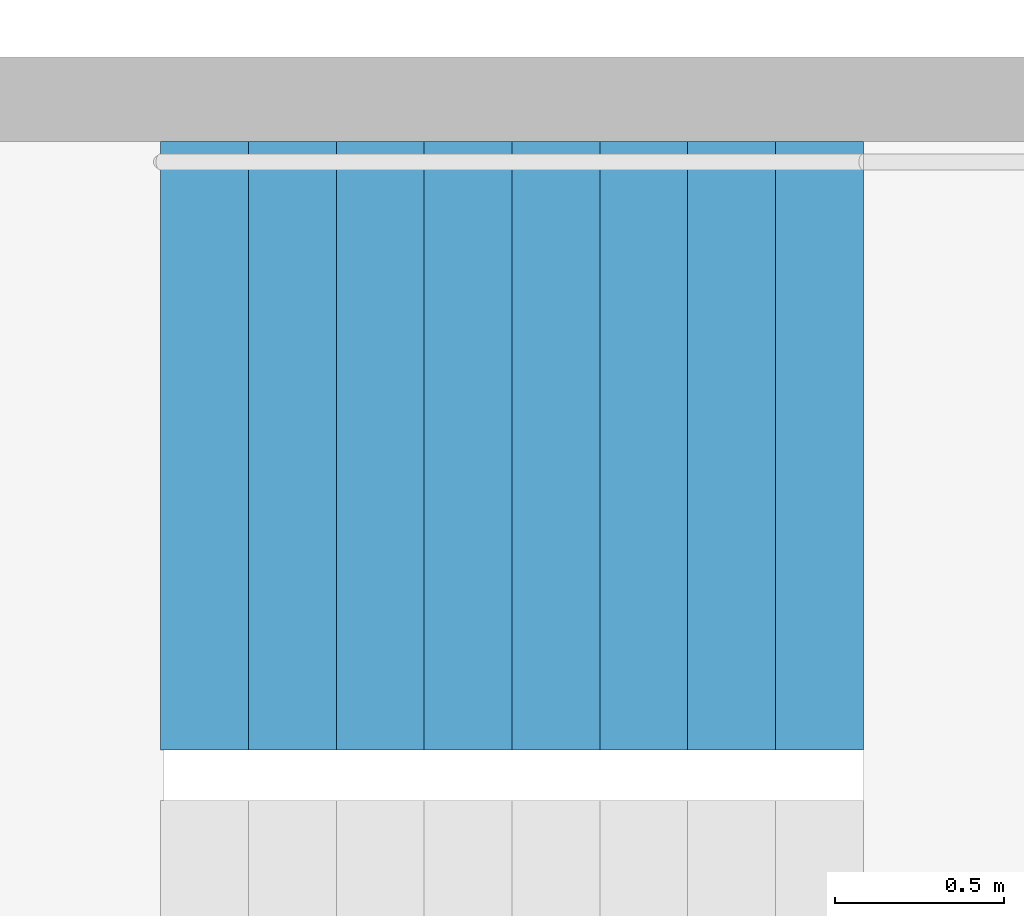
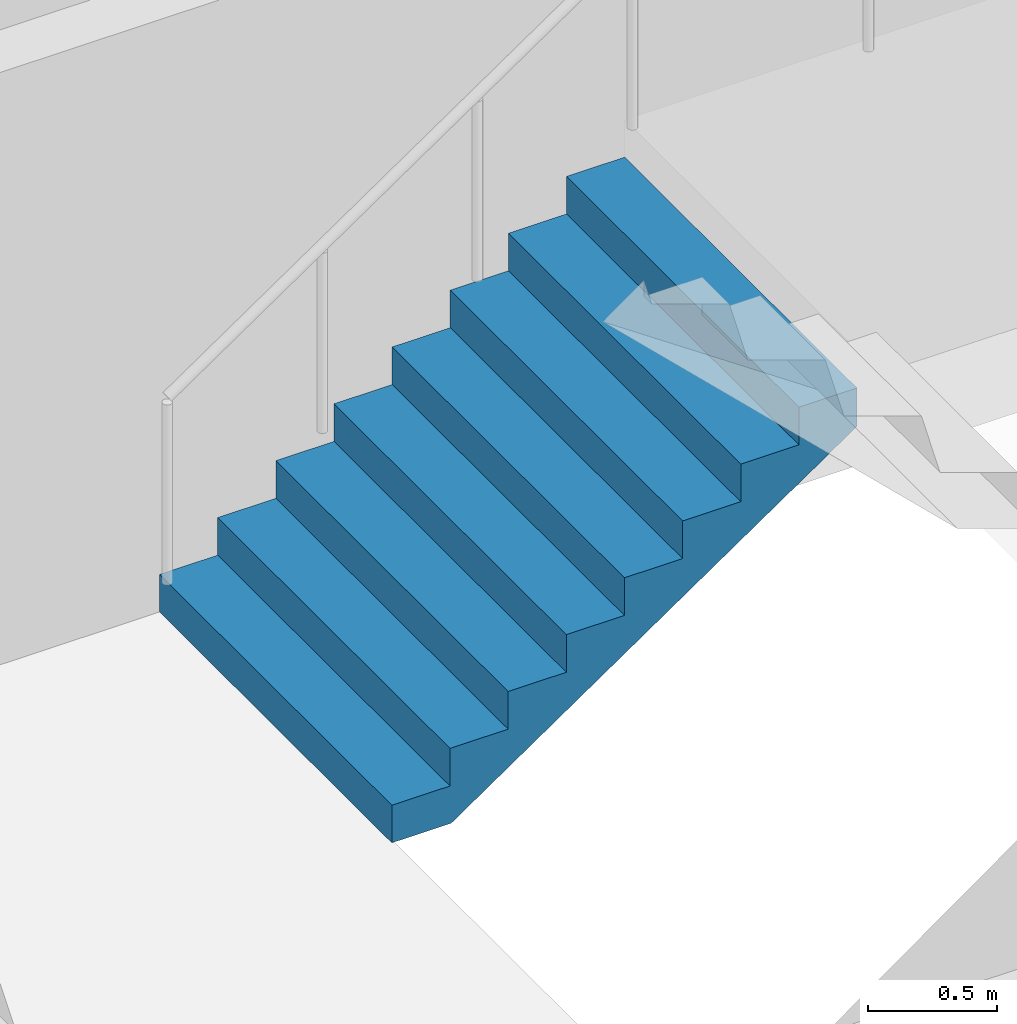
# One storey, part 25 of 28: 1 stair flight, 1 element without a shape of its own.
"""IFC4 building model written with IfcOpenShell, lengths in metres."""

from ifc_helpers import new_model, si_unit, direction, frame, origin, place, context, subcontext, project, spatial, triangles, material, type_object, element, aggregate, save


model = new_model("IFC4")

# Units and contexts
model_context = context("Model", 3, precision=1e-05, world=origin(), true_north=direction((0.0, 1.0)))
body_context = subcontext(model_context, "Body", "Model", "MODEL_VIEW")
ifc_project = project(units=[si_unit("LENGTHUNIT", "METRE"), si_unit("AREAUNIT", "SQUARE_METRE"), si_unit("VOLUMEUNIT", "CUBIC_METRE"), si_unit("PLANEANGLEUNIT", "RADIAN"), si_unit("MASSUNIT", "GRAM", prefix="KILO")], contexts=[model_context])

# Site, building, storey
site_placement = place(None, origin())
site = spatial("IfcSite", under=ifc_project, at=site_placement, CompositionType="ELEMENT")
building_placement = place(site_placement, origin())
building = spatial("IfcBuilding", under=site, at=building_placement, Name="Hakoniwa Tower and Hamabe Station Hall", CompositionType="ELEMENT")
storey_placement = place(building_placement, frame((0.0, 0.0, 48.60009765625)))
storey = spatial("IfcBuildingStorey", under=building, at=storey_placement, Name="L13", CompositionType="ELEMENT", Elevation=48.60009765625)

# Stair, stair flight
ifc_material_1 = material(Name="Concrete C40", Category="concrete")
stair_type = type_object("IfcStairType", Name="ESCAPE STAIR 1800", PredefinedType="HALF_TURN_STAIR", material=ifc_material_1)
stair_placement = place(storey_placement, origin())
stair = element("IfcStair", 1, at=stair_placement, inside=storey, type_object=stair_type, Name="Escape stair ST-4 L13", PredefinedType="HALF_TURN_STAIR")
ifc_material_2 = material(Name="Concrete C40", Category="concrete")
stair_flight_type = type_object("IfcStairFlightType", Name="STAIR FLIGHT 1800", PredefinedType="STRAIGHT", material=ifc_material_2)
stair_flight_placement = place(storey_placement, frame((23.39990234375, -4.64990234375, 0.0), z_axis=(0.0, 0.0, 1.0), x_axis=(1.0, 0.0, 0.0)))
stair_flight = element("IfcStairFlight", 2, at=stair_flight_placement, type_object=stair_flight_type, Name="ST-4 flight 1", NumberOfRisers=9, NumberOfTreads=8, PredefinedType="STRAIGHT", RiserHeight=0.177777778, TreadLength=0.26, context=body_context, shape_type="Tessellation", body=[
    triangles([(0.0, 0.89990234375, 0.0), (0.260009765625, 0.89990234375, 0.0), (0.265625, 0.89990234375, 0.0), (0.52001953125, 0.89990234375, 0.174072265625), (0.780029296875, 0.89990234375, 0.351806640625), (1.0400390625, 0.89990234375, 0.529541015625), (1.300048828125, 0.89990234375, 0.707275390625), (1.56005859375, 0.89990234375, 0.885009765625), (1.820068359375, 0.89990234375, 1.062744140625), (2.080078125, 0.89990234375, 1.24072265625), (2.080078125, 0.89990234375, 1.422119140625), (1.820068359375, 0.89990234375, 1.422119140625), (1.820068359375, 0.89990234375, 1.244384765625), (1.56005859375, 0.89990234375, 1.244384765625), (1.56005859375, 0.89990234375, 1.066650390625), (1.300048828125, 0.89990234375, 1.066650390625), (1.300048828125, 0.89990234375, 0.888916015625), (1.0400390625, 0.89990234375, 0.888916015625), (1.0400390625, 0.89990234375, 0.711181640625), (0.780029296875, 0.89990234375, 0.711181640625), (0.780029296875, 0.89990234375, 0.533447265625), (0.52001953125, 0.89990234375, 0.533447265625), (0.52001953125, 0.89990234375, 0.35546875), (0.265625, 0.89990234375, 0.35546875), (0.260009765625, 0.89990234375, 0.35546875), (0.260009765625, 0.89990234375, 0.177734375), (0.0, 0.89990234375, 0.177734375), (0.0, 0.06005859375, 0.0), (0.260009765625, 0.06005859375, 0.0), (0.265625, 0.06005859375, 0.0), (0.52001953125, 0.06005859375, 0.174072265625), (0.780029296875, 0.06005859375, 0.351806640625), (1.0400390625, 0.06005859375, 0.529541015625), (1.300048828125, 0.06005859375, 0.707275390625), (1.56005859375, 0.06005859375, 0.885009765625), (1.820068359375, 0.06005859375, 1.062744140625), (2.080078125, 0.06005859375, 1.24072265625), (2.080078125, 0.06005859375, 1.422119140625), (1.820068359375, 0.06005859375, 1.422119140625), (1.820068359375, 0.06005859375, 1.244384765625), (1.56005859375, 0.06005859375, 1.244384765625), (1.56005859375, 0.06005859375, 1.066650390625), (1.300048828125, 0.06005859375, 1.066650390625), (1.300048828125, 0.06005859375, 0.888916015625), (1.0400390625, 0.06005859375, 0.888916015625), (1.0400390625, 0.06005859375, 0.711181640625), (0.780029296875, 0.06005859375, 0.711181640625), (0.780029296875, 0.06005859375, 0.533447265625), (0.52001953125, 0.06005859375, 0.533447265625), (0.52001953125, 0.06005859375, 0.35546875), (0.265625, 0.06005859375, 0.35546875), (0.260009765625, 0.06005859375, 0.35546875), (0.260009765625, 0.06005859375, 0.177734375), (0.0, 0.06005859375, 0.177734375), (0.0, 0.04296875, 0.0), (0.260009765625, 0.04296875, 0.0), (0.265625, 0.04296875, 0.0), (0.52001953125, 0.04296875, 0.174072265625), (0.780029296875, 0.04296875, 0.351806640625), (1.0400390625, 0.04296875, 0.529541015625), (1.300048828125, 0.04296875, 0.707275390625), (1.56005859375, 0.04296875, 0.885009765625), (1.820068359375, 0.04296875, 1.062744140625), (2.080078125, 0.04296875, 1.24072265625), (2.080078125, 0.04296875, 1.422119140625), (1.820068359375, 0.04296875, 1.422119140625), (1.820068359375, 0.04296875, 1.244384765625), (1.56005859375, 0.04296875, 1.244384765625), (1.56005859375, 0.04296875, 1.066650390625), (1.300048828125, 0.04296875, 1.066650390625), (1.300048828125, 0.04296875, 0.888916015625), (1.0400390625, 0.04296875, 0.888916015625), (1.0400390625, 0.04296875, 0.711181640625), (0.780029296875, 0.04296875, 0.711181640625), (0.780029296875, 0.04296875, 0.533447265625), (0.52001953125, 0.04296875, 0.533447265625), (0.52001953125, 0.04296875, 0.35546875), (0.265625, 0.04296875, 0.35546875), (0.260009765625, 0.04296875, 0.35546875), (0.260009765625, 0.04296875, 0.177734375), (0.0, 0.04296875, 0.177734375), (0.0, 0.025634765625, 0.0), (0.260009765625, 0.025634765625, 0.0), (0.265625, 0.025634765625, 0.0), (0.52001953125, 0.025634765625, 0.174072265625), (0.780029296875, 0.025634765625, 0.351806640625), (1.0400390625, 0.025634765625, 0.529541015625), (1.300048828125, 0.025634765625, 0.707275390625), (1.56005859375, 0.025634765625, 0.885009765625), (1.820068359375, 0.025634765625, 1.062744140625), (2.080078125, 0.025634765625, 1.24072265625), (2.080078125, 0.025634765625, 1.422119140625), (1.820068359375, 0.025634765625, 1.422119140625), (1.820068359375, 0.025634765625, 1.244384765625), (1.56005859375, 0.025634765625, 1.244384765625), (1.56005859375, 0.025634765625, 1.066650390625), (1.300048828125, 0.025634765625, 1.066650390625), (1.300048828125, 0.025634765625, 0.888916015625), (1.0400390625, 0.025634765625, 0.888916015625), (1.0400390625, 0.025634765625, 0.711181640625), (0.780029296875, 0.025634765625, 0.711181640625), (0.780029296875, 0.025634765625, 0.533447265625), (0.52001953125, 0.025634765625, 0.533447265625), (0.52001953125, 0.025634765625, 0.35546875), (0.265625, 0.025634765625, 0.35546875), (0.260009765625, 0.025634765625, 0.35546875), (0.260009765625, 0.025634765625, 0.177734375), (0.0, 0.025634765625, 0.177734375), (0.0, 0.008544921875, 0.0), (0.260009765625, 0.008544921875, 0.0), (0.265625, 0.008544921875, 0.0), (0.52001953125, 0.008544921875, 0.174072265625), (0.780029296875, 0.008544921875, 0.351806640625), (1.0400390625, 0.008544921875, 0.529541015625), (1.300048828125, 0.008544921875, 0.707275390625), (1.56005859375, 0.008544921875, 0.885009765625), (1.820068359375, 0.008544921875, 1.062744140625), (2.080078125, 0.008544921875, 1.24072265625), (2.080078125, 0.008544921875, 1.422119140625), (1.820068359375, 0.008544921875, 1.422119140625), (1.820068359375, 0.008544921875, 1.244384765625), (1.56005859375, 0.008544921875, 1.244384765625), (1.56005859375, 0.008544921875, 1.066650390625), (1.300048828125, 0.008544921875, 1.066650390625), (1.300048828125, 0.008544921875, 0.888916015625), (1.0400390625, 0.008544921875, 0.888916015625), (1.0400390625, 0.008544921875, 0.711181640625), (0.780029296875, 0.008544921875, 0.711181640625), (0.780029296875, 0.008544921875, 0.533447265625), (0.52001953125, 0.008544921875, 0.533447265625), (0.52001953125, 0.008544921875, 0.35546875), (0.265625, 0.008544921875, 0.35546875), (0.260009765625, 0.008544921875, 0.35546875), (0.260009765625, 0.008544921875, 0.177734375), (0.0, 0.008544921875, 0.177734375), (0.0, -0.008544921875, 0.0), (0.260009765625, -0.008544921875, 0.0), (0.265625, -0.008544921875, 0.0), (0.52001953125, -0.008544921875, 0.174072265625), (0.780029296875, -0.008544921875, 0.351806640625), (1.0400390625, -0.008544921875, 0.529541015625), (1.300048828125, -0.008544921875, 0.707275390625), (1.56005859375, -0.008544921875, 0.885009765625), (1.820068359375, -0.008544921875, 1.062744140625), (2.080078125, -0.008544921875, 1.24072265625), (2.080078125, -0.008544921875, 1.422119140625), (1.820068359375, -0.008544921875, 1.422119140625), (1.820068359375, -0.008544921875, 1.244384765625), (1.56005859375, -0.008544921875, 1.244384765625), (1.56005859375, -0.008544921875, 1.066650390625), (1.300048828125, -0.008544921875, 1.066650390625), (1.300048828125, -0.008544921875, 0.888916015625), (1.0400390625, -0.008544921875, 0.888916015625), (1.0400390625, -0.008544921875, 0.711181640625), (0.780029296875, -0.008544921875, 0.711181640625), (0.780029296875, -0.008544921875, 0.533447265625), (0.52001953125, -0.008544921875, 0.533447265625), (0.52001953125, -0.008544921875, 0.35546875), (0.265625, -0.008544921875, 0.35546875), (0.260009765625, -0.008544921875, 0.35546875), (0.260009765625, -0.008544921875, 0.177734375), (0.0, -0.008544921875, 0.177734375), (0.0, -0.025634765625, 0.0), (0.260009765625, -0.025634765625, 0.0), (0.265625, -0.025634765625, 0.0), (0.52001953125, -0.025634765625, 0.174072265625), (0.780029296875, -0.025634765625, 0.351806640625), (1.0400390625, -0.025634765625, 0.529541015625), (1.300048828125, -0.025634765625, 0.707275390625), (1.56005859375, -0.025634765625, 0.885009765625), (1.820068359375, -0.025634765625, 1.062744140625), (2.080078125, -0.025634765625, 1.24072265625), (2.080078125, -0.025634765625, 1.422119140625), (1.820068359375, -0.025634765625, 1.422119140625), (1.820068359375, -0.025634765625, 1.244384765625), (1.56005859375, -0.025634765625, 1.244384765625), (1.56005859375, -0.025634765625, 1.066650390625), (1.300048828125, -0.025634765625, 1.066650390625), (1.300048828125, -0.025634765625, 0.888916015625), (1.0400390625, -0.025634765625, 0.888916015625), (1.0400390625, -0.025634765625, 0.711181640625), (0.780029296875, -0.025634765625, 0.711181640625), (0.780029296875, -0.025634765625, 0.533447265625), (0.52001953125, -0.025634765625, 0.533447265625), (0.52001953125, -0.025634765625, 0.35546875), (0.265625, -0.025634765625, 0.35546875), (0.260009765625, -0.025634765625, 0.35546875), (0.260009765625, -0.025634765625, 0.177734375), (0.0, -0.025634765625, 0.177734375), (0.0, -0.04296875, 0.0), (0.260009765625, -0.04296875, 0.0), (0.265625, -0.04296875, 0.0), (0.52001953125, -0.04296875, 0.174072265625), (0.780029296875, -0.04296875, 0.351806640625), (1.0400390625, -0.04296875, 0.529541015625), (1.300048828125, -0.04296875, 0.707275390625), (1.56005859375, -0.04296875, 0.885009765625), (1.820068359375, -0.04296875, 1.062744140625), (2.080078125, -0.04296875, 1.24072265625), (2.080078125, -0.04296875, 1.422119140625), (1.820068359375, -0.04296875, 1.422119140625), (1.820068359375, -0.04296875, 1.244384765625), (1.56005859375, -0.04296875, 1.244384765625), (1.56005859375, -0.04296875, 1.066650390625), (1.300048828125, -0.04296875, 1.066650390625), (1.300048828125, -0.04296875, 0.888916015625), (1.0400390625, -0.04296875, 0.888916015625), (1.0400390625, -0.04296875, 0.711181640625), (0.780029296875, -0.04296875, 0.711181640625), (0.780029296875, -0.04296875, 0.533447265625), (0.52001953125, -0.04296875, 0.533447265625), (0.52001953125, -0.04296875, 0.35546875), (0.265625, -0.04296875, 0.35546875), (0.260009765625, -0.04296875, 0.35546875), (0.260009765625, -0.04296875, 0.177734375), (0.0, -0.04296875, 0.177734375), (0.0, -0.06005859375, 0.0), (0.260009765625, -0.06005859375, 0.0), (0.265625, -0.06005859375, 0.0), (0.52001953125, -0.06005859375, 0.174072265625), (0.780029296875, -0.06005859375, 0.351806640625), (1.0400390625, -0.06005859375, 0.529541015625), (1.300048828125, -0.06005859375, 0.707275390625), (1.56005859375, -0.06005859375, 0.885009765625), (1.820068359375, -0.06005859375, 1.062744140625), (2.080078125, -0.06005859375, 1.24072265625), (2.080078125, -0.06005859375, 1.422119140625), (1.820068359375, -0.06005859375, 1.422119140625), (1.820068359375, -0.06005859375, 1.244384765625), (1.56005859375, -0.06005859375, 1.244384765625), (1.56005859375, -0.06005859375, 1.066650390625), (1.300048828125, -0.06005859375, 1.066650390625), (1.300048828125, -0.06005859375, 0.888916015625), (1.0400390625, -0.06005859375, 0.888916015625), (1.0400390625, -0.06005859375, 0.711181640625), (0.780029296875, -0.06005859375, 0.711181640625), (0.780029296875, -0.06005859375, 0.533447265625), (0.52001953125, -0.06005859375, 0.533447265625), (0.52001953125, -0.06005859375, 0.35546875), (0.265625, -0.06005859375, 0.35546875), (0.260009765625, -0.06005859375, 0.35546875), (0.260009765625, -0.06005859375, 0.177734375), (0.0, -0.06005859375, 0.177734375), (0.0, -0.89990234375, 0.0), (0.260009765625, -0.89990234375, 0.0), (0.265625, -0.89990234375, 0.0), (0.52001953125, -0.89990234375, 0.174072265625), (0.780029296875, -0.89990234375, 0.351806640625), (1.0400390625, -0.89990234375, 0.529541015625), (1.300048828125, -0.89990234375, 0.707275390625), (1.56005859375, -0.89990234375, 0.885009765625), (1.820068359375, -0.89990234375, 1.062744140625), (2.080078125, -0.89990234375, 1.24072265625), (2.080078125, -0.89990234375, 1.422119140625), (1.820068359375, -0.89990234375, 1.422119140625), (1.820068359375, -0.89990234375, 1.244384765625), (1.56005859375, -0.89990234375, 1.244384765625), (1.56005859375, -0.89990234375, 1.066650390625), (1.300048828125, -0.89990234375, 1.066650390625), (1.300048828125, -0.89990234375, 0.888916015625), (1.0400390625, -0.89990234375, 0.888916015625), (1.0400390625, -0.89990234375, 0.711181640625), (0.780029296875, -0.89990234375, 0.711181640625), (0.780029296875, -0.89990234375, 0.533447265625), (0.52001953125, -0.89990234375, 0.533447265625), (0.52001953125, -0.89990234375, 0.35546875), (0.265625, -0.89990234375, 0.35546875), (0.260009765625, -0.89990234375, 0.35546875), (0.260009765625, -0.89990234375, 0.177734375), (0.0, -0.89990234375, 0.177734375)], [[2, 27, 26], [245, 269, 270], [2, 1, 27], [245, 270, 244], [3, 25, 24], [246, 267, 268], [3, 26, 25], [246, 268, 269], [3, 2, 26], [246, 269, 245], [4, 24, 23], [247, 266, 267], [4, 3, 24], [247, 267, 246], [5, 22, 21], [248, 264, 265], [5, 23, 22], [248, 265, 266], [5, 4, 23], [248, 266, 247], [6, 20, 19], [249, 262, 263], [6, 21, 20], [249, 263, 264], [6, 5, 21], [249, 264, 248], [7, 18, 17], [250, 260, 261], [7, 19, 18], [250, 261, 262], [7, 6, 19], [250, 262, 249], [8, 16, 15], [251, 258, 259], [8, 17, 16], [251, 259, 260], [8, 7, 17], [251, 260, 250], [9, 14, 13], [252, 256, 257], [9, 15, 14], [252, 257, 258], [9, 8, 15], [252, 258, 251], [10, 12, 11], [253, 254, 255], [10, 13, 12], [253, 255, 256], [10, 9, 13], [253, 256, 252], [1, 2, 29], [1, 29, 28], [28, 29, 56], [28, 56, 55], [55, 56, 83], [55, 83, 82], [82, 83, 110], [82, 110, 109], [109, 110, 137], [109, 137, 136], [136, 137, 164], [136, 164, 163], [163, 164, 191], [163, 191, 190], [190, 191, 218], [190, 218, 217], [217, 218, 245], [217, 245, 244], [2, 3, 30], [2, 30, 29], [29, 30, 57], [29, 57, 56], [56, 57, 84], [56, 84, 83], [83, 84, 111], [83, 111, 110], [110, 111, 138], [110, 138, 137], [137, 138, 165], [137, 165, 164], [164, 165, 192], [164, 192, 191], [191, 192, 219], [191, 219, 218], [218, 219, 246], [218, 246, 245], [3, 4, 31], [3, 31, 30], [30, 31, 58], [30, 58, 57], [57, 58, 85], [57, 85, 84], [84, 85, 112], [84, 112, 111], [111, 112, 139], [111, 139, 138], [138, 139, 166], [138, 166, 165], [165, 166, 193], [165, 193, 192], [192, 193, 220], [192, 220, 219], [219, 220, 247], [219, 247, 246], [4, 5, 32], [4, 32, 31], [31, 32, 59], [31, 59, 58], [58, 59, 86], [58, 86, 85], [85, 86, 113], [85, 113, 112], [112, 113, 140], [112, 140, 139], [139, 140, 167], [139, 167, 166], [166, 167, 194], [166, 194, 193], [193, 194, 221], [193, 221, 220], [220, 221, 248], [220, 248, 247], [5, 6, 33], [5, 33, 32], [32, 33, 60], [32, 60, 59], [59, 60, 87], [59, 87, 86], [86, 87, 114], [86, 114, 113], [113, 114, 141], [113, 141, 140], [140, 141, 168], [140, 168, 167], [167, 168, 195], [167, 195, 194], [194, 195, 222], [194, 222, 221], [221, 222, 249], [221, 249, 248], [6, 7, 34], [6, 34, 33], [33, 34, 61], [33, 61, 60], [60, 61, 88], [60, 88, 87], [87, 88, 115], [87, 115, 114], [114, 115, 142], [114, 142, 141], [141, 142, 169], [141, 169, 168], [168, 169, 196], [168, 196, 195], [195, 196, 223], [195, 223, 222], [222, 223, 250], [222, 250, 249], [7, 8, 35], [7, 35, 34], [34, 35, 62], [34, 62, 61], [61, 62, 89], [61, 89, 88], [88, 89, 116], [88, 116, 115], [115, 116, 143], [115, 143, 142], [142, 143, 170], [142, 170, 169], [169, 170, 197], [169, 197, 196], [196, 197, 224], [196, 224, 223], [223, 224, 251], [223, 251, 250], [8, 9, 36], [8, 36, 35], [35, 36, 63], [35, 63, 62], [62, 63, 90], [62, 90, 89], [89, 90, 117], [89, 117, 116], [116, 117, 144], [116, 144, 143], [143, 144, 171], [143, 171, 170], [170, 171, 198], [170, 198, 197], [197, 198, 225], [197, 225, 224], [224, 225, 252], [224, 252, 251], [9, 10, 37], [9, 37, 36], [36, 37, 64], [36, 64, 63], [63, 64, 91], [63, 91, 90], [90, 91, 118], [90, 118, 117], [117, 118, 145], [117, 145, 144], [144, 145, 172], [144, 172, 171], [171, 172, 199], [171, 199, 198], [198, 199, 226], [198, 226, 225], [225, 226, 253], [225, 253, 252], [10, 11, 38], [10, 38, 37], [37, 38, 65], [37, 65, 64], [64, 65, 92], [64, 92, 91], [91, 92, 119], [91, 119, 118], [118, 119, 146], [118, 146, 145], [145, 146, 173], [145, 173, 172], [172, 173, 200], [172, 200, 199], [199, 200, 227], [199, 227, 226], [226, 227, 254], [226, 254, 253], [11, 12, 39], [11, 39, 38], [38, 39, 66], [38, 66, 65], [65, 66, 93], [65, 93, 92], [92, 93, 120], [92, 120, 119], [119, 120, 147], [119, 147, 146], [146, 147, 174], [146, 174, 173], [173, 174, 201], [173, 201, 200], [200, 201, 228], [200, 228, 227], [227, 228, 255], [227, 255, 254], [12, 13, 40], [12, 40, 39], [39, 40, 67], [39, 67, 66], [66, 67, 94], [66, 94, 93], [93, 94, 121], [93, 121, 120], [120, 121, 148], [120, 148, 147], [147, 148, 175], [147, 175, 174], [174, 175, 202], [174, 202, 201], [201, 202, 229], [201, 229, 228], [228, 229, 256], [228, 256, 255], [13, 14, 41], [13, 41, 40], [40, 41, 68], [40, 68, 67], [67, 68, 95], [67, 95, 94], [94, 95, 122], [94, 122, 121], [121, 122, 149], [121, 149, 148], [148, 149, 176], [148, 176, 175], [175, 176, 203], [175, 203, 202], [202, 203, 230], [202, 230, 229], [229, 230, 257], [229, 257, 256], [14, 15, 42], [14, 42, 41], [41, 42, 69], [41, 69, 68], [68, 69, 96], [68, 96, 95], [95, 96, 123], [95, 123, 122], [122, 123, 150], [122, 150, 149], [149, 150, 177], [149, 177, 176], [176, 177, 204], [176, 204, 203], [203, 204, 231], [203, 231, 230], [230, 231, 258], [230, 258, 257], [15, 16, 43], [15, 43, 42], [42, 43, 70], [42, 70, 69], [69, 70, 97], [69, 97, 96], [96, 97, 124], [96, 124, 123], [123, 124, 151], [123, 151, 150], [150, 151, 178], [150, 178, 177], [177, 178, 205], [177, 205, 204], [204, 205, 232], [204, 232, 231], [231, 232, 259], [231, 259, 258], [16, 17, 44], [16, 44, 43], [43, 44, 71], [43, 71, 70], [70, 71, 98], [70, 98, 97], [97, 98, 125], [97, 125, 124], [124, 125, 152], [124, 152, 151], [151, 152, 179], [151, 179, 178], [178, 179, 206], [178, 206, 205], [205, 206, 233], [205, 233, 232], [232, 233, 260], [232, 260, 259], [17, 18, 45], [17, 45, 44], [44, 45, 72], [44, 72, 71], [71, 72, 99], [71, 99, 98], [98, 99, 126], [98, 126, 125], [125, 126, 153], [125, 153, 152], [152, 153, 180], [152, 180, 179], [179, 180, 207], [179, 207, 206], [206, 207, 234], [206, 234, 233], [233, 234, 261], [233, 261, 260], [18, 19, 46], [18, 46, 45], [45, 46, 73], [45, 73, 72], [72, 73, 100], [72, 100, 99], [99, 100, 127], [99, 127, 126], [126, 127, 154], [126, 154, 153], [153, 154, 181], [153, 181, 180], [180, 181, 208], [180, 208, 207], [207, 208, 235], [207, 235, 234], [234, 235, 262], [234, 262, 261], [19, 20, 47], [19, 47, 46], [46, 47, 74], [46, 74, 73], [73, 74, 101], [73, 101, 100], [100, 101, 128], [100, 128, 127], [127, 128, 155], [127, 155, 154], [154, 155, 182], [154, 182, 181], [181, 182, 209], [181, 209, 208], [208, 209, 236], [208, 236, 235], [235, 236, 263], [235, 263, 262], [20, 21, 48], [20, 48, 47], [47, 48, 75], [47, 75, 74], [74, 75, 102], [74, 102, 101], [101, 102, 129], [101, 129, 128], [128, 129, 156], [128, 156, 155], [155, 156, 183], [155, 183, 182], [182, 183, 210], [182, 210, 209], [209, 210, 237], [209, 237, 236], [236, 237, 264], [236, 264, 263], [21, 22, 49], [21, 49, 48], [48, 49, 76], [48, 76, 75], [75, 76, 103], [75, 103, 102], [102, 103, 130], [102, 130, 129], [129, 130, 157], [129, 157, 156], [156, 157, 184], [156, 184, 183], [183, 184, 211], [183, 211, 210], [210, 211, 238], [210, 238, 237], [237, 238, 265], [237, 265, 264], [22, 23, 50], [22, 50, 49], [49, 50, 77], [49, 77, 76], [76, 77, 104], [76, 104, 103], [103, 104, 131], [103, 131, 130], [130, 131, 158], [130, 158, 157], [157, 158, 185], [157, 185, 184], [184, 185, 212], [184, 212, 211], [211, 212, 239], [211, 239, 238], [238, 239, 266], [238, 266, 265], [23, 24, 51], [23, 51, 50], [50, 51, 78], [50, 78, 77], [77, 78, 105], [77, 105, 104], [104, 105, 132], [104, 132, 131], [131, 132, 159], [131, 159, 158], [158, 159, 186], [158, 186, 185], [185, 186, 213], [185, 213, 212], [212, 213, 240], [212, 240, 239], [239, 240, 267], [239, 267, 266], [24, 25, 52], [24, 52, 51], [51, 52, 79], [51, 79, 78], [78, 79, 106], [78, 106, 105], [105, 106, 133], [105, 133, 132], [132, 133, 160], [132, 160, 159], [159, 160, 187], [159, 187, 186], [186, 187, 214], [186, 214, 213], [213, 214, 241], [213, 241, 240], [240, 241, 268], [240, 268, 267], [25, 26, 53], [25, 53, 52], [52, 53, 80], [52, 80, 79], [79, 80, 107], [79, 107, 106], [106, 107, 134], [106, 134, 133], [133, 134, 161], [133, 161, 160], [160, 161, 188], [160, 188, 187], [187, 188, 215], [187, 215, 214], [214, 215, 242], [214, 242, 241], [241, 242, 269], [241, 269, 268], [26, 27, 54], [26, 54, 53], [53, 54, 81], [53, 81, 80], [80, 81, 108], [80, 108, 107], [107, 108, 135], [107, 135, 134], [134, 135, 162], [134, 162, 161], [161, 162, 189], [161, 189, 188], [188, 189, 216], [188, 216, 215], [215, 216, 243], [215, 243, 242], [242, 243, 270], [242, 270, 269], [27, 1, 28], [27, 28, 54], [54, 28, 55], [54, 55, 81], [81, 55, 82], [81, 82, 108], [108, 82, 109], [108, 109, 135], [135, 109, 136], [135, 136, 162], [162, 136, 163], [162, 163, 189], [189, 163, 190], [189, 190, 216], [216, 190, 217], [216, 217, 243], [243, 217, 244], [243, 244, 270]], closed=True),
])
aggregate(stair, [stair_flight])

save(model, "model.ifc")
